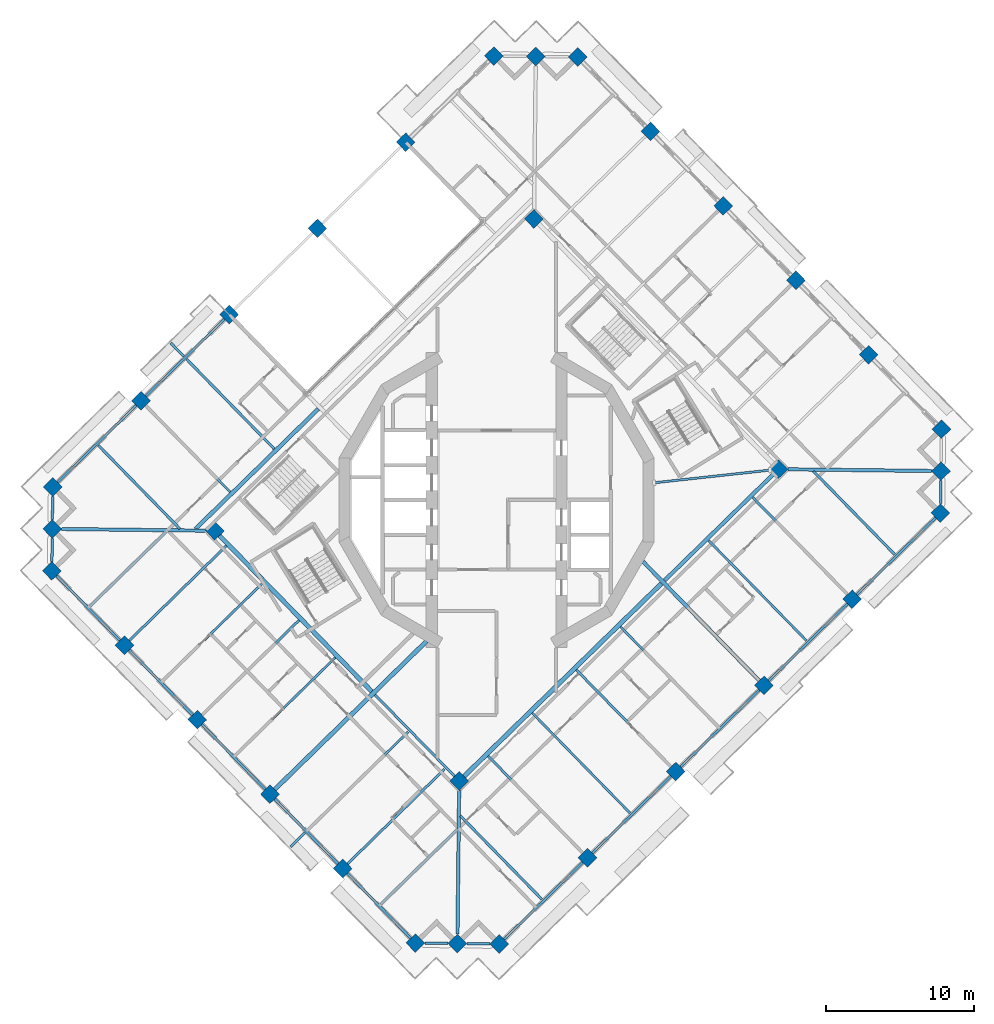
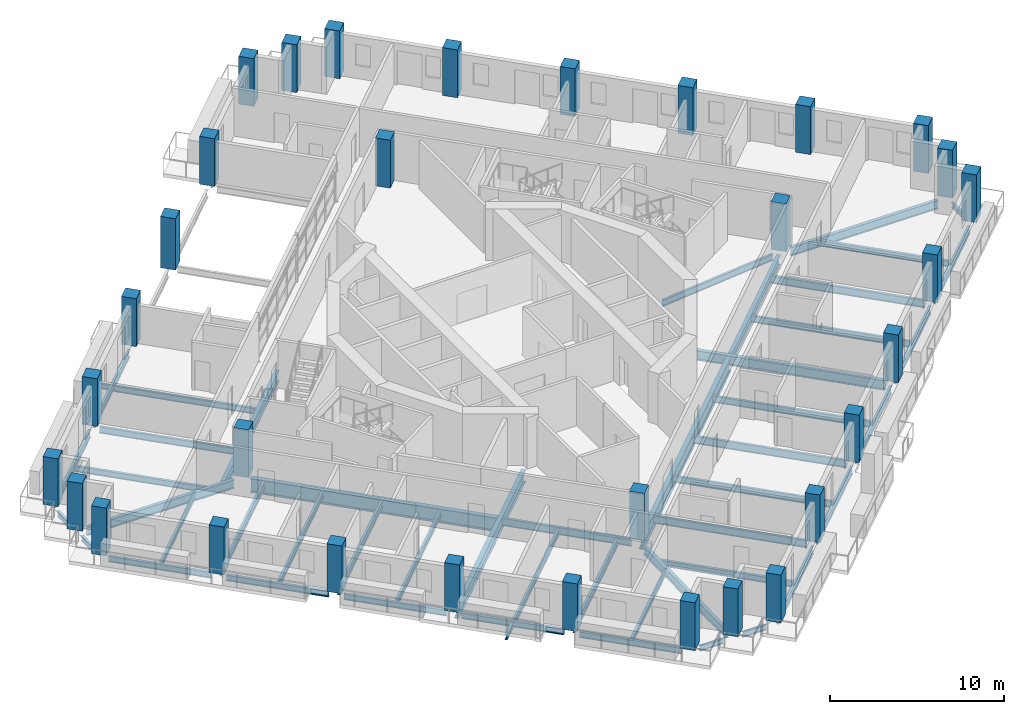
# One storey, part 1 of 18: 49 beams, 32 columns.
"""IFC4 building model written with IfcOpenShell, lengths in metres."""

from ifc_helpers import new_model, si_unit, direction, frame, origin, origin_2d, place, context, subcontext, project, spatial, rectangle, i_section, extrude, material, material_profile, profile_set, type_object, element, save


model = new_model("IFC4")

# Units and contexts
model_context = context("Model", 3, precision=1e-05, world=origin(), true_north=direction((0.0, 1.0)))
body_context = subcontext(model_context, "Body", "Model", "MODEL_VIEW")
ifc_project = project(units=[si_unit("LENGTHUNIT", "METRE"), si_unit("AREAUNIT", "SQUARE_METRE"), si_unit("VOLUMEUNIT", "CUBIC_METRE"), si_unit("PLANEANGLEUNIT", "RADIAN"), si_unit("MASSUNIT", "GRAM", prefix="KILO")], contexts=[model_context])

# Site, building, storey
site_placement = place(None, origin())
site = spatial("IfcSite", under=ifc_project, at=site_placement, CompositionType="ELEMENT")
building_placement = place(site_placement, origin())
building = spatial("IfcBuilding", under=site, at=building_placement, Name="Cantera Rosa Tower", CompositionType="ELEMENT")
storey_placement = place(building_placement, frame((0.0, 0.0, 219.800048828125)))
storey = spatial("IfcBuildingStorey", under=building, at=storey_placement, Name="L47", CompositionType="ELEMENT", Elevation=219.800048828125)

# Columns
ifc_material_1 = material(Name="Concrete C60/75", Category="concrete")
ifc_material_profile_1 = material_profile(ifc_material_1, rectangle(XDim=0.89990234375, YDim=0.89990234375, at=origin_2d()), Name="RC COLUMN RC900X900 C60/75")
ifc_profile_set_1 = profile_set([ifc_material_profile_1], Name="Concrete C60/75")
column_type_1 = type_object("IfcColumnType", Name="RC COLUMN RC900X900 C60/75", PredefinedType="COLUMN", material=ifc_profile_set_1)
for number, where, z_axis, x_axis, name in (
    (1, (30.003662109375, 4.77783203125, 0.0), (0.0, 0.0, 1.0), (0.71528629107, 0.698831540364, 0.0), "C-Z4-01 L47"),
    (2, (25.097900390625, 9.799072265625, 0.0), (0.0, 0.0, 1.0), (0.71528629107, 0.698831540364, 0.0), "C-Z4-02 L47"),
    (3, (20.19189453125, 14.8203125, 0.0), (0.0, 0.0, 1.0), (0.71528629107, 0.698831540364, 0.0), "C-Z4-03 L47"),
    (4, (15.2861328125, 19.841796875, 0.0), (0.0, 0.0, 1.0), (0.71528629107, 0.698831540364, 0.0), "C-Z4-04 L47"),
    (5, (10.38037109375, 24.863037109375, 0.0), (0.0, 0.0, 1.0), (0.71528629107, 0.698831540364, 0.0), "C-Z4-05 L47"),
    (6, (5.474609375, 29.88427734375, 0.0), (0.0, 0.0, 1.0), (0.71528629107, 0.698831540364, 0.0), "C-Z4-06 L47"),
    (7, (2.646484375, 29.917236328125, 0.0), (0.0, 0.0, 1.0), (0.71528629107, 0.698831540364, 0.0), "C-Z4-07 L47"),
    (8, (-0.181884765625, 29.9501953125, 0.0), (0.0, 0.0, 1.0), (0.71528629107, 0.698831540364, 0.0), "C-Z4-08 L47"),
    (9, (-6.133056640625, 24.1357421875, 0.0), (0.0, 0.0, 1.0), (0.71528629107, 0.698831540364, 0.0), "C-Z4-09 L47"),
):
    element("IfcColumn", number, at=place(storey_placement, frame(where, z_axis=z_axis, x_axis=x_axis)), inside=storey, type_object=column_type_1, Name=name, PredefinedType="COLUMN", context=body_context, shape_type="SweptSolid", body=[
        extrude(rectangle(XDim=0.89990234375, YDim=0.89990234375, at=origin_2d()), origin(), (0.0, 0.0, 1.0), 3.349853515625),
    ])
column_placement = place(storey_placement, frame((-12.084228515625, 18.321533203125, -0.25), z_axis=(0.0, 0.0, 1.0), x_axis=(0.71528629107, 0.698831540364, 0.0)))
element("IfcColumn", 10, at=column_placement, inside=storey, type_object=column_type_1, Name="C-Z4-10 L47", PredefinedType="COLUMN", context=body_context, shape_type="SweptSolid", body=[
    extrude(rectangle(XDim=0.89990234375, YDim=0.89990234375, at=origin_2d()), origin(), (0.0, 0.0, 1.0), 3.599853515625),
])
for number, where, z_axis, x_axis, name in (
    (11, (-18.035400390625, 12.50732421875, 0.0), (0.0, 0.0, 1.0), (0.71528629107, 0.698831540364, 0.0), "C-Z4-11 L47"),
    (12, (-23.986572265625, 6.693115234375, 0.0), (0.0, 0.0, 1.0), (0.71528629107, 0.698831540364, 0.0), "C-Z4-12 L47"),
    (13, (-29.937744140625, 0.878662109375, 0.0), (0.0, 0.0, 1.0), (0.71528629107, 0.698831540364, 0.0), "C-Z4-13 L47"),
    (14, (-29.970703125, -1.949462890625, 0.0), (0.0, 0.0, 1.0), (0.71528629107, 0.698831540364, 0.0), "C-Z4-14 L47"),
    (15, (-30.003662109375, -4.77783203125, 0.0), (0.0, 0.0, 1.0), (0.71528629107, 0.698831540364, 0.0), "C-Z4-15 L47"),
    (16, (-25.097900390625, -9.799072265625, 0.0), (0.0, 0.0, 1.0), (0.71528629107, 0.698831540364, 0.0), "C-Z4-16 L47"),
    (17, (-20.19189453125, -14.8203125, 0.0), (0.0, 0.0, 1.0), (0.71528629107, 0.698831540364, 0.0), "C-Z4-17 L47"),
    (18, (-15.2861328125, -19.841796875, 0.0), (0.0, 0.0, 1.0), (0.71528629107, 0.698831540364, 0.0), "C-Z4-18 L47"),
    (19, (-10.38037109375, -24.863037109375, 0.0), (0.0, 0.0, 1.0), (0.71528629107, 0.698831540364, 0.0), "C-Z4-19 L47"),
    (20, (-5.474609375, -29.88427734375, 0.0), (0.0, 0.0, 1.0), (0.71528629107, 0.698831540364, 0.0), "C-Z4-20 L47"),
    (21, (-2.646484375, -29.917236328125, 0.0), (0.0, 0.0, 1.0), (0.71528629107, 0.698831540364, 0.0), "C-Z4-21 L47"),
    (22, (0.181884765625, -29.9501953125, 0.0), (0.0, 0.0, 1.0), (0.71528629107, 0.698831540364, 0.0), "C-Z4-22 L47"),
    (23, (6.133056640625, -24.1357421875, 0.0), (0.0, 0.0, 1.0), (0.71528629107, 0.698831540364, 0.0), "C-Z4-23 L47"),
    (24, (12.084228515625, -18.321533203125, 0.0), (0.0, 0.0, 1.0), (0.71528629107, 0.698831540364, 0.0), "C-Z4-24 L47"),
    (25, (18.035400390625, -12.50732421875, 0.0), (0.0, 0.0, 1.0), (0.71528629107, 0.698831540364, 0.0), "C-Z4-25 L47"),
    (26, (23.986572265625, -6.693115234375, 0.0), (0.0, 0.0, 1.0), (0.71528629107, 0.698831540364, 0.0), "C-Z4-26 L47"),
    (27, (29.937744140625, -0.878662109375, 0.0), (0.0, 0.0, 1.0), (0.71528629107, 0.698831540364, 0.0), "C-Z4-27 L47"),
    (28, (29.970703125, 1.949462890625, 0.0), (0.0, 0.0, 1.0), (0.71528629107, 0.698831540364, 0.0), "C-Z4-28 L47"),
):
    element("IfcColumn", number, at=place(storey_placement, frame(where, z_axis=z_axis, x_axis=x_axis)), inside=storey, type_object=column_type_1, Name=name, PredefinedType="COLUMN", context=body_context, shape_type="SweptSolid", body=[
        extrude(rectangle(XDim=0.89990234375, YDim=0.89990234375, at=origin_2d()), origin(), (0.0, 0.0, 1.0), 3.349853515625),
    ])
ifc_material_2 = material(Name="Concrete C60/75", Category="concrete")
ifc_material_profile_2 = material_profile(ifc_material_2, rectangle(XDim=0.89990234375, YDim=0.89990234375, at=origin_2d()), Name="RC RING COLUMN RC900X900 C60/75")
ifc_profile_set_2 = profile_set([ifc_material_profile_2], Name="Concrete C60/75")
column_type_2 = type_object("IfcColumnType", Name="RC RING COLUMN RC900X900 C60/75", PredefinedType="COLUMN", material=ifc_profile_set_2)
for number, where, z_axis, x_axis, name in (
    (29, (2.518798828125, 18.957763671875, 0.0), (0.0, 0.0, 1.0), (0.71528629107, 0.698831540364, 0.0), "CI-Z4-1 L47"),
    (30, (-19.01123046875, -2.0771484375, 0.0), (0.0, 0.0, 1.0), (0.71528629107, 0.698831540364, 0.0), "CI-Z4-2 L47"),
    (31, (-2.518798828125, -18.957763671875, 0.0), (0.0, 0.0, 1.0), (0.71528629107, 0.698831540364, 0.0), "CI-Z4-3 L47"),
    (32, (19.01123046875, 2.0771484375, 0.0), (0.0, 0.0, 1.0), (0.71528629107, 0.698831540364, 0.0), "CI-Z4-4 L47"),
):
    element("IfcColumn", number, at=place(storey_placement, frame(where, z_axis=z_axis, x_axis=x_axis)), inside=storey, type_object=column_type_2, Name=name, PredefinedType="COLUMN", context=body_context, shape_type="SweptSolid", body=[
        extrude(rectangle(XDim=0.89990234375, YDim=0.89990234375, at=origin_2d()), origin(), (0.0, 0.0, 1.0), 3.349853515625),
    ])

# Beams
ifc_material_3 = material(Name="Steel ASTM A992 (Fy 345 MPa)", Category="steel")
ifc_material_profile_3 = material_profile(ifc_material_3, i_section(OverallWidth=0.300048828125, OverallDepth=0.990966796875, WebThickness=0.0166015625, FlangeThickness=0.030517578125, FilletRadius=0.030029296875, at=origin_2d()), Name="W1000X272")
ifc_profile_set_3 = profile_set([ifc_material_profile_3], Name="Steel ASTM A992 (Fy 345 MPa)")
beam_type_1 = type_object("IfcBeamType", Name="STEEL BEAM W1000X272", PredefinedType="BEAM", material=ifc_profile_set_3)
beam_1_placement = place(storey_placement, frame((-8.4169921875, -12.9208984375, -0.74560546875), z_axis=(-0.698826825527, 0.715290897415, 0.0), x_axis=(-0.715290897415, -0.698826825527, 0.0)))
element("IfcBeam", 33, at=beam_1_placement, inside=storey, type_object=beam_type_1, Name="RB-Z4-07 L47", PredefinedType="BEAM", context=body_context, shape_type="SweptSolid", body=[
    extrude(i_section(OverallWidth=0.300048828125, OverallDepth=0.990966796875, WebThickness=0.0166015625, FlangeThickness=0.030517578125, FilletRadius=0.030029296875, at=origin_2d()), origin(), (0.0, 0.0, 1.0), 14.7099609375),
])
ifc_material_4 = material(Name="Steel ASTM A992 (Fy 345 MPa)", Category="steel")
ifc_material_profile_4 = material_profile(ifc_material_4, i_section(OverallWidth=0.302001953125, OverallDepth=1.010009765625, WebThickness=0.02099609375, FlangeThickness=0.0400390625, FilletRadius=0.030029296875, at=origin_2d()), Name="W1000X350")
ifc_profile_set_4 = profile_set([ifc_material_profile_4], Name="Steel ASTM A992 (Fy 345 MPa)")
beam_type_2 = type_object("IfcBeamType", Name="STEEL BEAM W1000X350", PredefinedType="BEAM", material=ifc_profile_set_4)
beam_2_placement = place(storey_placement, frame((-2.197021484375, -18.643310546875, -0.755126953125), z_axis=(0.715290925107, 0.698826797182, 0.0), x_axis=(-0.698826797182, 0.715290925107, 0.0)))
element("IfcBeam", 34, at=beam_2_placement, inside=storey, type_object=beam_type_2, Name="RB-Z4-03 L47", PredefinedType="BEAM", context=body_context, shape_type="SweptSolid", body=[
    extrude(i_section(OverallWidth=0.302001953125, OverallDepth=1.010009765625, WebThickness=0.02099609375, FlangeThickness=0.0400390625, FilletRadius=0.030029296875, at=origin_2d()), origin(), (0.0, 0.0, 1.0), 18.60986328125),
])
ifc_material_5 = material(Name="Steel ASTM A992 (Fy 345 MPa)", Category="steel")
ifc_material_profile_5 = material_profile(ifc_material_5, i_section(OverallWidth=0.154052734375, OverallDepth=0.4599609375, WebThickness=0.009033203125, FlangeThickness=0.015380859375, FilletRadius=0.01025390625, at=origin_2d()), Name="W460X68")
ifc_profile_set_5 = profile_set([ifc_material_profile_5], Name="Steel ASTM A992 (Fy 345 MPa)")
beam_type_3 = type_object("IfcBeamType", Name="STEEL BEAM W460X68", PredefinedType="BEAM", material=ifc_profile_set_5)
beam_3_placement = place(storey_placement, frame((-23.672119140625, 6.37109375, -0.47998046875), z_axis=(0.698836133494, -0.715281803574, 0.0), x_axis=(0.715281803574, 0.698836133494, 0.0)))
element("IfcBeam", 35, at=beam_3_placement, inside=storey, type_object=beam_type_3, Name="G-Z4-08 L47", PredefinedType="BEAM", context=body_context, shape_type="SweptSolid", body=[
    extrude(i_section(OverallWidth=0.154052734375, OverallDepth=0.4599609375, WebThickness=0.009033203125, FlangeThickness=0.015380859375, FilletRadius=0.01025390625, at=origin_2d()), origin(), (0.0, 0.0, 1.0), 8.150146484375),
])
beam_4_placement = place(storey_placement, frame((18.44287109375, 2.014892578125, -0.47998046875), z_axis=(-0.994086100692, -0.108594771563, 0.0), x_axis=(0.108594771563, -0.994086100692, 0.0)))
element("IfcBeam", 36, at=beam_4_placement, inside=storey, type_object=beam_type_3, Name="PG-Z4-01 L47", PredefinedType="BEAM", context=body_context, shape_type="SweptSolid", body=[
    extrude(i_section(OverallWidth=0.154052734375, OverallDepth=0.4599609375, WebThickness=0.009033203125, FlangeThickness=0.015380859375, FilletRadius=0.01025390625, at=origin_2d()), origin(), (0.0, 0.0, 1.0), 7.864013671875),
])
ifc_material_6 = material(Name="Steel ASTM A992 (Fy 345 MPa)", Category="steel")
ifc_material_profile_6 = material_profile(ifc_material_6, i_section(OverallWidth=0.166015625, OverallDepth=0.528076171875, WebThickness=0.009765625, FlangeThickness=0.013671875, FilletRadius=0.0126953125, at=origin_2d()), Name="W530X74")
ifc_profile_set_6 = profile_set([ifc_material_profile_6], Name="Steel ASTM A992 (Fy 345 MPa)")
beam_type_4 = type_object("IfcBeamType", Name="STEEL BEAM W530X74", PredefinedType="BEAM", material=ifc_profile_set_6)
for number, where, z_axis, x_axis, name in (
    (37, (5.818603515625, -23.81396484375, -0.51416015625), (-0.698827481213, 0.71529025682, 0.0), (-0.71529025682, -0.698827481213, 0.0), "G-Z4-09 L47"),
    (38, (11.769775390625, -17.999755859375, -0.51416015625), (-0.698827481213, 0.71529025682, 0.0), (-0.71529025682, -0.698827481213, 0.0), "G-Z4-10 L47"),
    (39, (23.672119140625, -6.37109375, -0.51416015625), (-0.698827481213, 0.71529025682, 0.0), (-0.71529025682, -0.698827481213, 0.0), "G-Z4-12 L47"),
    (40, (-24.77587890625, -9.484619140625, -0.51416015625), (0.71529025682, 0.698827481213, 0.0), (-0.698827481213, 0.71529025682, 0.0), "G-Z4-13 L47"),
    (41, (-19.8701171875, -14.505859375, -0.51416015625), (0.71529025682, 0.698827481213, 0.0), (-0.698827481213, 0.71529025682, 0.0), "G-Z4-14 L47"),
    (42, (-10.05859375, -24.548583984375, -0.51416015625), (0.71529025682, 0.698827481213, 0.0), (-0.698827481213, 0.71529025682, 0.0), "G-Z4-16 L47"),
):
    element("IfcBeam", number, at=place(storey_placement, frame(where, z_axis=z_axis, x_axis=x_axis)), inside=storey, type_object=beam_type_4, Name=name, PredefinedType="BEAM", context=body_context, shape_type="SweptSolid", body=[
        extrude(i_section(OverallWidth=0.166015625, OverallDepth=0.528076171875, WebThickness=0.009765625, FlangeThickness=0.013671875, FilletRadius=0.0126953125, at=origin_2d()), origin(), (0.0, 0.0, 1.0), 9.14990234375),
    ])
beam_5_placement = place(storey_placement, frame((-2.833251953125, -18.635986328125, -0.51416015625), z_axis=(-0.698820376914, 0.71529719754, 0.0), x_axis=(-0.71529719754, -0.698820376914, 0.0)))
element("IfcBeam", 43, at=beam_5_placement, inside=storey, type_object=beam_type_4, Name="RB-Z4-06 L47", PredefinedType="BEAM", context=body_context, shape_type="SweptSolid", body=[
    extrude(i_section(OverallWidth=0.166015625, OverallDepth=0.528076171875, WebThickness=0.009765625, FlangeThickness=0.013671875, FilletRadius=0.0126953125, at=origin_2d()), origin(), (0.0, 0.0, 1.0), 7.690185546875),
])
ifc_material_7 = material(Name="Steel ASTM A992 (Fy 345 MPa)", Category="steel")
ifc_material_profile_7 = material_profile(ifc_material_7, i_section(OverallWidth=0.22802734375, OverallDepth=0.60205078125, WebThickness=0.010498046875, FlangeThickness=0.014892578125, FilletRadius=0.0126953125, at=origin_2d()), Name="W610X101")
ifc_profile_set_7 = profile_set([ifc_material_profile_7], Name="Steel ASTM A992 (Fy 345 MPa)")
beam_type_5 = type_object("IfcBeamType", Name="STEEL BEAM W610X101", PredefinedType="BEAM", material=ifc_profile_set_7)
for number, where, z_axis, x_axis, name in (
    (44, (-29.334228515625, -1.95703125, -0.551025390625), (0.999932504919, -0.011618330597, 0.0), (0.011618330597, 0.999932504919, 0.0), "CB-Z4-02 L47"),
    (45, (-2.638916015625, -29.28076171875, -0.551025390625), (0.011618330597, 0.999932504919, 0.0), (-0.999932504919, 0.011618330597, 0.0), "CB-Z4-03 L47"),
    (46, (29.334228515625, 1.95703125, -0.551025390625), (-0.999932504919, 0.011618330597, 0.0), (-0.011618330597, -0.999932504919, 0.0), "CB-Z4-04 L47"),
):
    element("IfcBeam", number, at=place(storey_placement, frame(where, z_axis=z_axis, x_axis=x_axis)), inside=storey, type_object=beam_type_5, Name=name, PredefinedType="BEAM", context=body_context, shape_type="SweptSolid", body=[
        extrude(i_section(OverallWidth=0.22802734375, OverallDepth=0.60205078125, WebThickness=0.010498046875, FlangeThickness=0.014892578125, FilletRadius=0.0126953125, at=origin_2d()), origin(), (0.0, 0.0, 1.0), 9.687255859375),
    ])
ifc_material_8 = material(Name="Steel ASTM A992 (Fy 345 MPa)", Category="steel")
ifc_material_profile_8 = material_profile(ifc_material_8, i_section(OverallWidth=0.25390625, OverallDepth=0.677978515625, WebThickness=0.01171875, FlangeThickness=0.016357421875, FilletRadius=0.01513671875, at=origin_2d()), Name="W690X125")
ifc_profile_set_8 = profile_set([ifc_material_profile_8], Name="Steel ASTM A992 (Fy 345 MPa)")
beam_type_6 = type_object("IfcBeamType", Name="STEEL BEAM W690X125", PredefinedType="BEAM", material=ifc_profile_set_8)
beam_6_placement = place(storey_placement, frame((17.720947265625, -12.185302734375, -0.589111328125), z_axis=(-0.698831358516, 0.715286468734, 0.0), x_axis=(-0.715286468734, -0.698831358516, 0.0)))
element("IfcBeam", 47, at=beam_6_placement, inside=storey, type_object=beam_type_6, Name="G-Z4-11 L47", PredefinedType="BEAM", context=body_context, shape_type="SweptSolid", body=[
    extrude(i_section(OverallWidth=0.25390625, OverallDepth=0.677978515625, WebThickness=0.01171875, FlangeThickness=0.016357421875, FilletRadius=0.01513671875, at=origin_2d()), origin(), (0.0, 0.0, 1.0), 11.2314453125),
])
beam_7_placement = place(storey_placement, frame((11.3291015625, -5.428466796875, -0.589111328125), z_axis=(0.715291776896, 0.698825925324, 0.0), x_axis=(-0.698825925324, 0.715291776896, 0.0)))
element("IfcBeam", 48, at=beam_7_placement, inside=storey, type_object=beam_type_6, Name="RB-Z4-04 L47", PredefinedType="BEAM", context=body_context, shape_type="SweptSolid", body=[
    extrude(i_section(OverallWidth=0.25390625, OverallDepth=0.677978515625, WebThickness=0.01171875, FlangeThickness=0.016357421875, FilletRadius=0.01513671875, at=origin_2d()), origin(), (0.0, 0.0, 1.0), 10.2900390625),
])
ifc_material_9 = material(Name="Steel ASTM A992 (Fy 345 MPa)", Category="steel")
ifc_material_profile_9 = material_profile(ifc_material_9, i_section(OverallWidth=0.26708984375, OverallDepth=0.75390625, WebThickness=0.01318359375, FlangeThickness=0.01708984375, FilletRadius=0.0166015625, at=origin_2d()), Name="W760X147")
ifc_profile_set_9 = profile_set([ifc_material_profile_9], Name="Steel ASTM A992 (Fy 345 MPa)")
beam_type_7 = type_object("IfcBeamType", Name="STEEL BEAM W760X147", PredefinedType="BEAM", material=ifc_profile_set_9)
beam_8_placement = place(storey_placement, frame((-20.318115234375, -1.955810546875, -0.626953125), z_axis=(0.715284592672, 0.698833278749, 0.0), x_axis=(-0.698833278749, 0.715284592672, 0.0)))
element("IfcBeam", 49, at=beam_8_placement, inside=storey, type_object=beam_type_7, Name="RB-Z4-01 L47", PredefinedType="BEAM", context=body_context, shape_type="SweptSolid", body=[
    extrude(i_section(OverallWidth=0.26708984375, OverallDepth=0.75390625, WebThickness=0.01318359375, FlangeThickness=0.01708984375, FilletRadius=0.0166015625, at=origin_2d()), origin(), (0.0, 0.0, 1.0), 11.590087890625),
])
ifc_material_10 = material(Name="Steel ASTM A992 (Fy 345 MPa)", Category="steel")
ifc_material_profile_10 = material_profile(ifc_material_10, i_section(OverallWidth=0.2919921875, OverallDepth=0.8359375, WebThickness=0.013916015625, FlangeThickness=0.018798828125, FilletRadius=0.017822265625, at=origin_2d()), Name="W840X176")
ifc_profile_set_10 = profile_set([ifc_material_profile_10], Name="Steel ASTM A992 (Fy 345 MPa)")
beam_type_8 = type_object("IfcBeamType", Name="STEEL BEAM W840X176", PredefinedType="BEAM", material=ifc_profile_set_10)
beam_9_placement = place(storey_placement, frame((-14.96435546875, -19.527099609375, -0.66796875), z_axis=(0.715288446628, 0.698829334045, 0.0), x_axis=(-0.698829334045, 0.715288446628, 0.0)))
element("IfcBeam", 50, at=beam_9_placement, inside=storey, type_object=beam_type_8, Name="G-Z4-15 L47", PredefinedType="BEAM", context=body_context, shape_type="SweptSolid", body=[
    extrude(i_section(OverallWidth=0.2919921875, OverallDepth=0.8359375, WebThickness=0.013916015625, FlangeThickness=0.018798828125, FilletRadius=0.017822265625, at=origin_2d()), origin(), (0.0, 0.0, 1.0), 14.299072265625),
])
ifc_material_11 = material(Name="Steel ASTM A992 (Fy 345 MPa)", Category="steel")
ifc_material_profile_11 = material_profile(ifc_material_11, i_section(OverallWidth=0.1708984375, OverallDepth=0.35595703125, WebThickness=0.00732421875, FlangeThickness=0.01171875, FilletRadius=0.010009765625, at=origin_2d()), Name="W360X51")
ifc_profile_set_11 = profile_set([ifc_material_profile_11], Name="Steel ASTM A992 (Fy 345 MPa)")
beam_type_9 = type_object("IfcBeamType", Name="STEEL JOIST W360X51", PredefinedType="JOIST", material=ifc_profile_set_11)
for number, where, z_axis, x_axis, name in (
    (51, (-27.443359375, -7.18359375, -0.427978515625), (0.715287213552, 0.69883059616, 0.0), (-0.69883059616, 0.715287213552, 0.0), "B-Z4-16 L47"),
    (52, (-7.8203125, -27.268798828125, -0.427978515625), (0.715287213552, 0.69883059616, 0.0), (-0.69883059616, 0.715287213552, 0.0), "B-Z4-20 L47"),
):
    element("IfcBeam", number, at=place(storey_placement, frame(where, z_axis=z_axis, x_axis=x_axis)), inside=storey, type_object=beam_type_9, Name=name, PredefinedType="JOIST", context=body_context, shape_type="SweptSolid", body=[
        extrude(i_section(OverallWidth=0.1708984375, OverallDepth=0.35595703125, WebThickness=0.00732421875, FlangeThickness=0.01171875, FilletRadius=0.010009765625, at=origin_2d()), origin(), (0.0, 0.0, 1.0), 7.2099609375),
    ])
beam_10_placement = place(storey_placement, frame((-21.101806640625, 9.693115234375, -0.427978515625), z_axis=(-0.698855744509, 0.715262642927, 0.0), x_axis=(-0.715262642927, -0.698855744509, 0.0)))
element("IfcBeam", 53, at=beam_10_placement, inside=storey, type_object=beam_type_9, Name="BS-Z4-06 L47", PredefinedType="JOIST", context=body_context, shape_type="SweptSolid", body=[
    extrude(i_section(OverallWidth=0.1708984375, OverallDepth=0.35595703125, WebThickness=0.00732421875, FlangeThickness=0.01171875, FilletRadius=0.010009765625, at=origin_2d()), origin(), (0.0, 0.0, 1.0), 1.25),
])
beam_11_placement = place(storey_placement, frame((-12.92626953125, -22.443115234375, -0.427978515625), z_axis=(-0.715278545481, -0.698839468243, 0.0), x_axis=(0.698839468243, -0.715278545481, 0.0)))
element("IfcBeam", 54, at=beam_11_placement, inside=storey, type_object=beam_type_9, Name="BS-Z4-07 L47", PredefinedType="JOIST", context=body_context, shape_type="SweptSolid", body=[
    extrude(i_section(OverallWidth=0.1708984375, OverallDepth=0.35595703125, WebThickness=0.00732421875, FlangeThickness=0.01171875, FilletRadius=0.010009765625, at=origin_2d()), origin(), (0.0, 0.0, 1.0), 1.3662109375),
])
ifc_material_12 = material(Name="Steel ASTM A992 (Fy 345 MPa)", Category="steel")
ifc_material_profile_12 = material_profile(ifc_material_12, i_section(OverallWidth=0.177978515625, OverallDepth=0.406005859375, WebThickness=0.0078125, FlangeThickness=0.0126953125, FilletRadius=0.01025390625, at=origin_2d()), Name="W410X60")
ifc_profile_set_12 = profile_set([ifc_material_profile_12], Name="Steel ASTM A992 (Fy 345 MPa)")
beam_type_10 = type_object("IfcBeamType", Name="STEEL JOIST W410X60", PredefinedType="JOIST", material=ifc_profile_set_12)
beam_12_placement = place(storey_placement, frame((-20.90625, 9.492919921875, -0.453125), z_axis=(0.698839235604, -0.715278772774, 0.0), x_axis=(0.715278772774, 0.698839235604, 0.0)))
element("IfcBeam", 55, at=beam_12_placement, inside=storey, type_object=beam_type_10, Name="B-Z4-09 L47", PredefinedType="JOIST", context=body_context, shape_type="SweptSolid", body=[
    extrude(i_section(OverallWidth=0.177978515625, OverallDepth=0.406005859375, WebThickness=0.0078125, FlangeThickness=0.0126953125, FilletRadius=0.01025390625, at=origin_2d()), origin(), (0.0, 0.0, 1.0), 8.4501953125),
])
for number, where, z_axis, x_axis, name in (
    (56, (-26.857421875, 3.678466796875, -0.453125), (0.698843394481, -0.715274709458, 0.0), (0.715274709458, 0.698843394481, 0.0), "B-Z4-10 L47"),
    (57, (3.052734375, -26.935791015625, -0.453125), (-0.698827868311, 0.715289878631, 0.0), (-0.715289878631, -0.698827868311, 0.0), "B-Z4-11 L47"),
    (58, (26.857421875, -3.678466796875, -0.453125), (-0.698843394481, 0.715274709458, 0.0), (-0.715274709458, -0.698843394481, 0.0), "B-Z4-15 L47"),
):
    element("IfcBeam", number, at=place(storey_placement, frame(where, z_axis=z_axis, x_axis=x_axis)), inside=storey, type_object=beam_type_10, Name=name, PredefinedType="JOIST", context=body_context, shape_type="SweptSolid", body=[
        extrude(i_section(OverallWidth=0.177978515625, OverallDepth=0.406005859375, WebThickness=0.0078125, FlangeThickness=0.0126953125, FilletRadius=0.01025390625, at=origin_2d()), origin(), (0.0, 0.0, 1.0), 7.860107421875),
    ])
ifc_material_13 = material(Name="Steel ASTM A992 (Fy 345 MPa)", Category="steel")
ifc_material_profile_13 = material_profile(ifc_material_13, i_section(OverallWidth=0.154052734375, OverallDepth=0.4599609375, WebThickness=0.009033203125, FlangeThickness=0.015380859375, FilletRadius=0.01025390625, at=origin_2d()), Name="W460X68")
ifc_profile_set_13 = profile_set([ifc_material_profile_13], Name="Steel ASTM A992 (Fy 345 MPa)")
beam_type_11 = type_object("IfcBeamType", Name="STEEL JOIST W460X68", PredefinedType="JOIST", material=ifc_profile_set_13)
beam_13_placement = place(storey_placement, frame((9.00390625, -21.121337890625, -0.47998046875), z_axis=(-0.698843443844, 0.715274661229, 0.0), x_axis=(-0.715274661229, -0.698843443844, 0.0)))
element("IfcBeam", 59, at=beam_13_placement, inside=storey, type_object=beam_type_11, Name="B-Z4-12 L47", PredefinedType="JOIST", context=body_context, shape_type="SweptSolid", body=[
    extrude(i_section(OverallWidth=0.154052734375, OverallDepth=0.4599609375, WebThickness=0.009033203125, FlangeThickness=0.015380859375, FilletRadius=0.01025390625, at=origin_2d()), origin(), (0.0, 0.0, 1.0), 9.449951171875),
])
for number, where, z_axis, x_axis, name in (
    (60, (14.955078125, -15.30712890625, -0.47998046875), (-0.698830529832, 0.715287278354, 0.0), (-0.715287278354, -0.698830529832, 0.0), "B-Z4-13 L47"),
    (61, (20.90625, -9.492919921875, -0.47998046875), (-0.698830529832, 0.715287278354, 0.0), (-0.715287278354, -0.698830529832, 0.0), "B-Z4-14 L47"),
    (62, (-22.53759765625, -12.204833984375, -0.47998046875), (0.715287278354, 0.698830529832, 0.0), (-0.698830529832, 0.715287278354, 0.0), "B-Z4-17 L47"),
    (63, (-17.6318359375, -17.226318359375, -0.47998046875), (0.715287278354, 0.698830529832, 0.0), (-0.698830529832, 0.715287278354, 0.0), "B-Z4-18 L47"),
    (64, (-12.72607421875, -22.24755859375, -0.47998046875), (0.715287278354, 0.698830529832, 0.0), (-0.698830529832, 0.715287278354, 0.0), "B-Z4-19 L47"),
):
    element("IfcBeam", number, at=place(storey_placement, frame(where, z_axis=z_axis, x_axis=x_axis)), inside=storey, type_object=beam_type_11, Name=name, PredefinedType="JOIST", context=body_context, shape_type="SweptSolid", body=[
        extrude(i_section(OverallWidth=0.154052734375, OverallDepth=0.4599609375, WebThickness=0.009033203125, FlangeThickness=0.015380859375, FilletRadius=0.01025390625, at=origin_2d()), origin(), (0.0, 0.0, 1.0), 9.4501953125),
    ])
ifc_material_14 = material(Name="Steel ASTM A992 (Fy 345 MPa)", Category="steel")
ifc_material_profile_14 = material_profile(ifc_material_14, i_section(OverallWidth=0.1708984375, OverallDepth=0.35595703125, WebThickness=0.00732421875, FlangeThickness=0.01171875, FilletRadius=0.010009765625, at=origin_2d()), Name="W360X51")
ifc_profile_set_14 = profile_set([ifc_material_profile_14], Name="Steel ASTM A992 (Fy 345 MPa)")
beam_type_12 = type_object("IfcBeamType", Name="STEEL SPANDREL BEAM W360X51", PredefinedType="SPANDREL", material=ifc_profile_set_14)
beam_14_placement = place(storey_placement, frame((-29.945068359375, 0.242431640625, -0.427978515625), z_axis=(-0.011769429589, -0.999930737865, 0.0), x_axis=(0.999930737865, -0.011769429589, 0.0)))
element("IfcBeam", 65, at=beam_14_placement, inside=storey, type_object=beam_type_12, Name="EB-Z4-13 L47", PredefinedType="SPANDREL", context=body_context, shape_type="SweptSolid", body=[
    extrude(i_section(OverallWidth=0.1708984375, OverallDepth=0.35595703125, WebThickness=0.00732421875, FlangeThickness=0.01171875, FilletRadius=0.010009765625, at=origin_2d()), origin(), (0.0, 0.0, 1.0), 1.5556640625),
])
for number, where, z_axis, x_axis, name in (
    (66, (-29.97802734375, -2.5859375, -0.427978515625), (-0.011614347636, -0.99993255119, 0.0), (0.99993255119, -0.011614347636, 0.0), "EB-Z4-14 L47"),
    (67, (-4.838134765625, -29.8916015625, -0.427978515625), (0.999930716123, -0.011771276677, 0.0), (0.011771276677, 0.999930716123, 0.0), "EB-Z4-20 L47"),
    (68, (-2.010009765625, -29.924560546875, -0.427978515625), (0.99993255119, -0.011614347636, 0.0), (0.011614347636, 0.99993255119, 0.0), "EB-Z4-21 L47"),
):
    element("IfcBeam", number, at=place(storey_placement, frame(where, z_axis=z_axis, x_axis=x_axis)), inside=storey, type_object=beam_type_12, Name=name, PredefinedType="SPANDREL", context=body_context, shape_type="SweptSolid", body=[
        extrude(i_section(OverallWidth=0.1708984375, OverallDepth=0.35595703125, WebThickness=0.00732421875, FlangeThickness=0.01171875, FilletRadius=0.010009765625, at=origin_2d()), origin(), (0.0, 0.0, 1.0), 1.555419921875),
    ])
beam_15_placement = place(storey_placement, frame((29.945068359375, -0.242431640625, -0.427978515625), z_axis=(0.011769429589, 0.999930737865, 0.0), x_axis=(-0.999930737865, 0.011769429589, 0.0)))
element("IfcBeam", 69, at=beam_15_placement, inside=storey, type_object=beam_type_12, Name="EB-Z4-27 L47", PredefinedType="SPANDREL", context=body_context, shape_type="SweptSolid", body=[
    extrude(i_section(OverallWidth=0.1708984375, OverallDepth=0.35595703125, WebThickness=0.00732421875, FlangeThickness=0.01171875, FilletRadius=0.010009765625, at=origin_2d()), origin(), (0.0, 0.0, 1.0), 1.5556640625),
])
ifc_material_15 = material(Name="Steel ASTM A992 (Fy 345 MPa)", Category="steel")
ifc_material_profile_15 = material_profile(ifc_material_15, i_section(OverallWidth=0.177978515625, OverallDepth=0.406005859375, WebThickness=0.0078125, FlangeThickness=0.0126953125, FilletRadius=0.01025390625, at=origin_2d()), Name="W410X60")
ifc_profile_set_15 = profile_set([ifc_material_profile_15], Name="Steel ASTM A992 (Fy 345 MPa)")
beam_type_13 = type_object("IfcBeamType", Name="STEEL SPANDREL BEAM W410X60", PredefinedType="SPANDREL", material=ifc_profile_set_15)
beam_16_placement = place(storey_placement, frame((-29.689208984375, -5.099609375, -0.453125), z_axis=(0.69882117953, -0.715296413412, 0.0), x_axis=(0.715296413412, 0.69882117953, 0.0)))
element("IfcBeam", 70, at=beam_16_placement, inside=storey, type_object=beam_type_13, Name="EB-Z4-15 L47", PredefinedType="SPANDREL", context=body_context, shape_type="SweptSolid", body=[
    extrude(i_section(OverallWidth=0.177978515625, OverallDepth=0.406005859375, WebThickness=0.0078125, FlangeThickness=0.0126953125, FilletRadius=0.01025390625, at=origin_2d()), origin(), (0.0, 0.0, 1.0), 6.1201171875),
])
for number, where, z_axis, x_axis, name in (
    (71, (-24.783203125, -10.120849609375, -0.453125), (0.698800768177, -0.715316354067, 0.0), (0.715316354067, 0.698800768177, 0.0), "EB-Z4-16 L47"),
    (72, (-19.87744140625, -15.142333984375, -0.453125), (0.698841120217, -0.71527693147, 0.0), (0.71527693147, 0.698841120217, 0.0), "EB-Z4-17 L47"),
    (73, (-14.9716796875, -20.16357421875, -0.453125), (0.698841120217, -0.71527693147, 0.0), (0.71527693147, 0.698841120217, 0.0), "EB-Z4-18 L47"),
):
    element("IfcBeam", number, at=place(storey_placement, frame(where, z_axis=z_axis, x_axis=x_axis)), inside=storey, type_object=beam_type_13, Name=name, PredefinedType="SPANDREL", context=body_context, shape_type="SweptSolid", body=[
        extrude(i_section(OverallWidth=0.177978515625, OverallDepth=0.406005859375, WebThickness=0.0078125, FlangeThickness=0.0126953125, FilletRadius=0.01025390625, at=origin_2d()), origin(), (0.0, 0.0, 1.0), 6.119873046875),
    ])
beam_17_placement = place(storey_placement, frame((-10.06591796875, -25.184814453125, -0.453125), z_axis=(0.69882117953, -0.715296413412, 0.0), x_axis=(0.715296413412, 0.69882117953, 0.0)))
element("IfcBeam", 74, at=beam_17_placement, inside=storey, type_object=beam_type_13, Name="EB-Z4-19 L47", PredefinedType="SPANDREL", context=body_context, shape_type="SweptSolid", body=[
    extrude(i_section(OverallWidth=0.177978515625, OverallDepth=0.406005859375, WebThickness=0.0078125, FlangeThickness=0.0126953125, FilletRadius=0.01025390625, at=origin_2d()), origin(), (0.0, 0.0, 1.0), 6.1201171875),
])
ifc_material_16 = material(Name="Steel ASTM A992 (Fy 345 MPa)", Category="steel")
ifc_material_profile_16 = material_profile(ifc_material_16, i_section(OverallWidth=0.166015625, OverallDepth=0.528076171875, WebThickness=0.009765625, FlangeThickness=0.013671875, FilletRadius=0.0126953125, at=origin_2d()), Name="W530X74")
ifc_profile_set_16 = profile_set([ifc_material_profile_16], Name="Steel ASTM A992 (Fy 345 MPa)")
beam_type_14 = type_object("IfcBeamType", Name="STEEL SPANDREL BEAM W530X74", PredefinedType="SPANDREL", material=ifc_profile_set_16)
for number, where, z_axis, x_axis, name in (
    (75, (-18.357177734375, 12.19287109375, -0.51416015625), (-0.715300826176, -0.698816662703, 0.0), (0.698816662703, -0.715300826176, 0.0), "EB-Z4-11 L47"),
    (76, (-24.308349609375, 6.37841796875, -0.51416015625), (-0.715300826176, -0.698816662703, 0.0), (0.698816662703, -0.715300826176, 0.0), "EB-Z4-12 L47"),
):
    element("IfcBeam", number, at=place(storey_placement, frame(where, z_axis=z_axis, x_axis=x_axis)), inside=storey, type_object=beam_type_14, Name=name, PredefinedType="SPANDREL", context=body_context, shape_type="SweptSolid", body=[
        extrude(i_section(OverallWidth=0.166015625, OverallDepth=0.528076171875, WebThickness=0.009765625, FlangeThickness=0.013671875, FilletRadius=0.0126953125, at=origin_2d()), origin(), (0.0, 0.0, 1.0), 7.420166015625),
    ])
beam_18_placement = place(storey_placement, frame((0.503662109375, -29.6357421875, -0.51416015625), z_axis=(0.715284379566, 0.698833496871, 0.0), x_axis=(-0.698833496871, 0.715284379566, 0.0)))
element("IfcBeam", 77, at=beam_18_placement, inside=storey, type_object=beam_type_14, Name="EB-Z4-22 L47", PredefinedType="SPANDREL", context=body_context, shape_type="SweptSolid", body=[
    extrude(i_section(OverallWidth=0.166015625, OverallDepth=0.528076171875, WebThickness=0.009765625, FlangeThickness=0.013671875, FilletRadius=0.0126953125, at=origin_2d()), origin(), (0.0, 0.0, 1.0), 7.42041015625),
])
for number, where, z_axis, x_axis, name in (
    (78, (6.454833984375, -23.8212890625, -0.51416015625), (0.715300826176, 0.698816662703, 0.0), (-0.698816662703, 0.715300826176, 0.0), "EB-Z4-23 L47"),
    (79, (12.406005859375, -18.007080078125, -0.51416015625), (0.715300826176, 0.698816662703, 0.0), (-0.698816662703, 0.715300826176, 0.0), "EB-Z4-24 L47"),
    (80, (18.357177734375, -12.19287109375, -0.51416015625), (0.715300826176, 0.698816662703, 0.0), (-0.698816662703, 0.715300826176, 0.0), "EB-Z4-25 L47"),
    (81, (24.308349609375, -6.37841796875, -0.51416015625), (0.715300826176, 0.698816662703, 0.0), (-0.698816662703, 0.715300826176, 0.0), "EB-Z4-26 L47"),
):
    element("IfcBeam", number, at=place(storey_placement, frame(where, z_axis=z_axis, x_axis=x_axis)), inside=storey, type_object=beam_type_14, Name=name, PredefinedType="SPANDREL", context=body_context, shape_type="SweptSolid", body=[
        extrude(i_section(OverallWidth=0.166015625, OverallDepth=0.528076171875, WebThickness=0.009765625, FlangeThickness=0.013671875, FilletRadius=0.0126953125, at=origin_2d()), origin(), (0.0, 0.0, 1.0), 7.420166015625),
    ])

save(model, "model.ifc")
